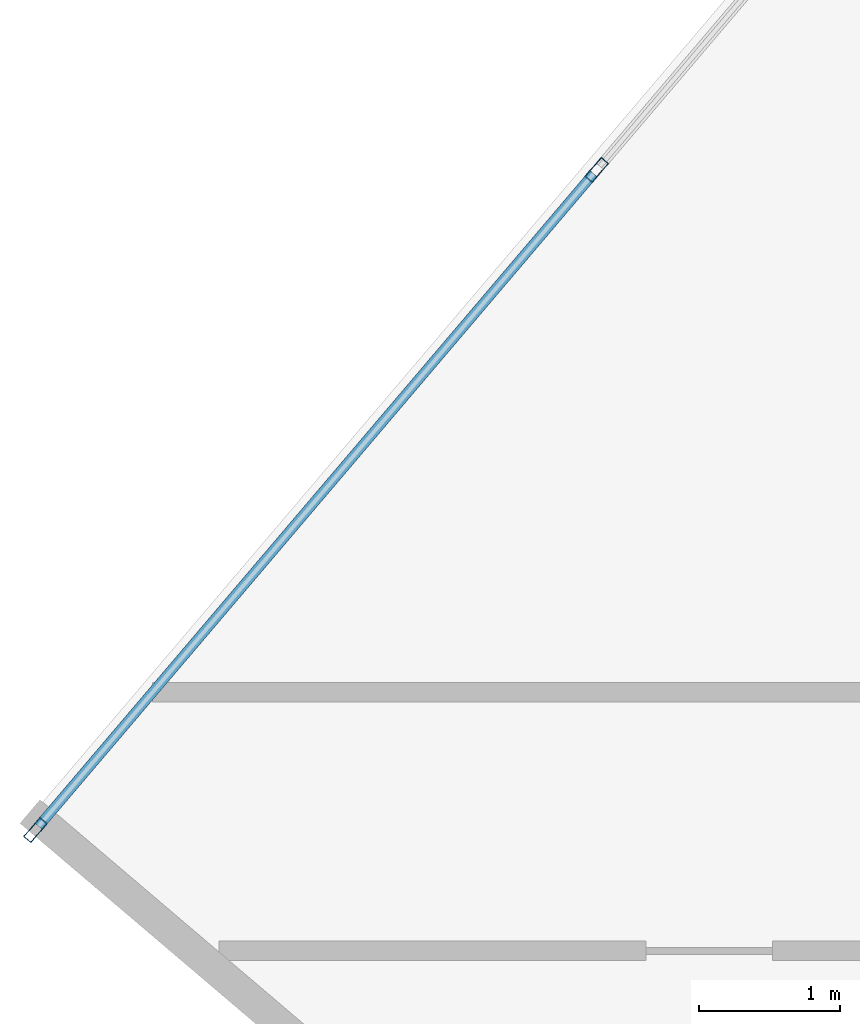
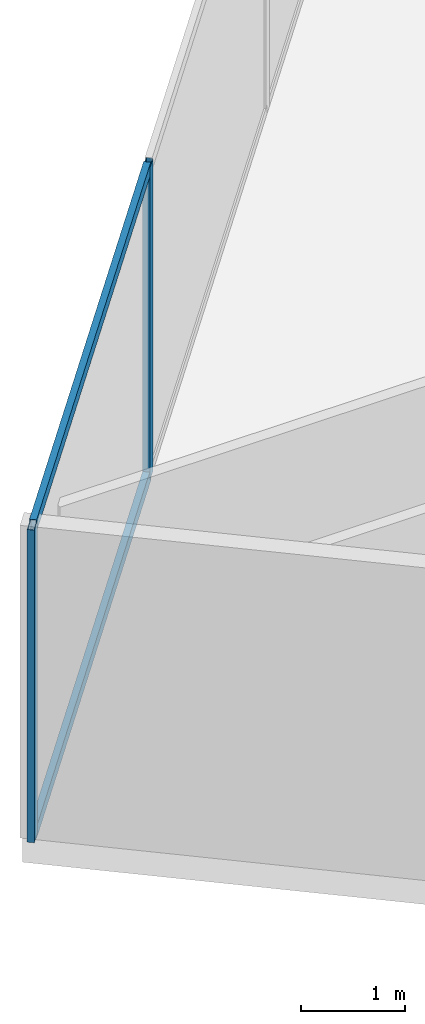
# One storey, part 8 of 25: 4 members, 1 element without a shape of its own.
"""IFC4 building model written with IfcOpenShell, lengths in metres."""

from ifc_helpers import new_model, si_unit, direction, frame, origin, origin_2d, place, context, subcontext, project, spatial, hollow_rectangle, extrude, source, transform, mapped, material, material_profile, profile_set, type_object, type_shapes, element, aggregate, save


model = new_model("IFC4")

# Units and contexts
model_context = context("Model", 3, precision=1e-05, world=origin(), true_north=direction((0.0, 1.0)))
body_context = subcontext(model_context, "Body", "Model", "MODEL_VIEW")
ifc_project = project(units=[si_unit("LENGTHUNIT", "METRE"), si_unit("AREAUNIT", "SQUARE_METRE"), si_unit("VOLUMEUNIT", "CUBIC_METRE"), si_unit("PLANEANGLEUNIT", "RADIAN"), si_unit("MASSUNIT", "GRAM", prefix="KILO")], contexts=[model_context])

# Site, building, storey
site_placement = place(None, origin())
site = spatial("IfcSite", under=ifc_project, at=site_placement, CompositionType="ELEMENT")
building_placement = place(site_placement, origin())
building = spatial("IfcBuilding", under=site, at=building_placement, Name="Krantzveldt Concourse Tower", CompositionType="ELEMENT")
storey_placement = place(building_placement, frame((0.0, 0.0, 211.25)))
storey = spatial("IfcBuildingStorey", under=building, at=storey_placement, Name="L51", CompositionType="ELEMENT", Elevation=211.25)

# Curtain wall, members
ifc_material = material(Name="Anodised aluminium 6063-T6", Category="aluminium")
curtain_wall_type = type_object("IfcCurtainWallType", Name="CW3", PredefinedType="USERDEFINED", material=ifc_material)
curtain_wall_placement = place(storey_placement, origin())
curtain_wall = element("IfcCurtainWall", 1, at=curtain_wall_placement, inside=storey, type_object=curtain_wall_type, Name="CW-L51-F01", ObjectType="UNITISED CURTAIN WALL", PredefinedType="USERDEFINED")
ifc_material_profile_1 = material_profile(ifc_material, hollow_rectangle(XDim=0.070068359375, YDim=0.179931640625, WallThickness=0.0048828125, at=origin_2d()), Name="Anodised aluminium 6063-T6", Category="aluminium")
ifc_profile_set_1 = profile_set([ifc_material_profile_1], Name="Anodised aluminium 6063-T6 - ALU-MULL 180x70x5")
member_type_1 = type_object("IfcMemberType", Name="CW-MUL-180", PredefinedType="MULLION", material=ifc_profile_set_1)
shared_shape_1 = source(origin(), body_context, "Body", "SweptSolid", [
    extrude(hollow_rectangle(XDim=0.070068359375, YDim=0.179931640625, WallThickness=0.0048828125, at=origin_2d()), origin(), (0.0, 0.0, 1.0), 3.669921875),
])
type_shapes(member_type_1, [shared_shape_1])
member_1_placement = place(storey_placement, frame((14.4267578125, 32.83642578125, 0.0), z_axis=(0.0, 0.0, 1.0), x_axis=(0.761820912327, -0.647787694805, 0.0)))
member_1 = element("IfcMember", 2, at=member_1_placement, type_object=member_type_1, Name="CW-Z34 mullion 5", PredefinedType="MULLION", context=body_context, shape_type="MappedRepresentation", body=[
    mapped(shared_shape_1, transform((0.0, 0.0, 0.0), x_axis=(1.0, 0.0, 0.0), y_axis=(0.0, 1.0, 0.0), z_axis=(0.0, 0.0, 1.0), scale=1.0)),
])
member_2_placement = place(storey_placement, frame((10.43310546875, 28.139892578125, 0.0), z_axis=(0.0, 0.0, 1.0), x_axis=(0.761820912327, -0.647787694805, 0.0)))
member_2 = element("IfcMember", 3, at=member_2_placement, type_object=member_type_1, Name="CW-Z34 mullion 6", PredefinedType="MULLION", context=body_context, shape_type="MappedRepresentation", body=[
    mapped(shared_shape_1, transform((0.0, 0.0, 0.0), x_axis=(1.0, 0.0, 0.0), y_axis=(0.0, 1.0, 0.0), z_axis=(0.0, 0.0, 1.0), scale=1.0)),
])
ifc_material_profile_2 = material_profile(ifc_material, hollow_rectangle(XDim=0.070068359375, YDim=0.139892578125, WallThickness=0.0048828125, at=origin_2d()), Name="Anodised aluminium 6063-T6", Category="aluminium")
ifc_profile_set_2 = profile_set([ifc_material_profile_2], Name="Anodised aluminium 6063-T6 - ALU-TRAN 140x70x5")
member_type_2 = type_object("IfcMemberType", Name="CW-TRN-150", PredefinedType="USERDEFINED", material=ifc_profile_set_2)
shared_shape_2 = source(origin(), body_context, "Body", "SweptSolid", [
    extrude(hollow_rectangle(XDim=0.070068359375, YDim=0.139892578125, WallThickness=0.0048828125, at=origin_2d()), origin(), (0.0, 0.0, 1.0), 6.094970703125),
])
type_shapes(member_type_2, [shared_shape_2])
member_3_placement = place(storey_placement, frame((14.404052734375, 32.809814453125, 0.034912109375), z_axis=(-0.64778444877, -0.761823672468, 0.0), x_axis=(0.761823672468, -0.64778444877, 0.0)))
member_3 = element("IfcMember", 4, at=member_3_placement, type_object=member_type_2, Name="CW-Z34 transom 5.1", ObjectType="TRANSOM", PredefinedType="USERDEFINED", context=body_context, shape_type="MappedRepresentation", body=[
    mapped(shared_shape_2, transform((0.0, 0.0, 0.0), x_axis=(1.0, 0.0, 0.0), y_axis=(0.0, 1.0, 0.0), z_axis=(0.0, 0.0, 1.0), scale=1.0)),
])
member_4_placement = place(storey_placement, frame((14.404052734375, 32.809814453125, 3.635009765625), z_axis=(-0.64778444877, -0.761823672468, 0.0), x_axis=(0.761823672468, -0.64778444877, 0.0)))
member_4 = element("IfcMember", 5, at=member_4_placement, type_object=member_type_2, Name="CW-Z34 transom 5.2", ObjectType="TRANSOM", PredefinedType="USERDEFINED", context=body_context, shape_type="MappedRepresentation", body=[
    mapped(shared_shape_2, transform((0.0, 0.0, 0.0), x_axis=(1.0, 0.0, 0.0), y_axis=(0.0, 1.0, 0.0), z_axis=(0.0, 0.0, 1.0), scale=1.0)),
])
aggregate(curtain_wall, [member_1, member_2, member_3, member_4])

save(model, "model.ifc")
